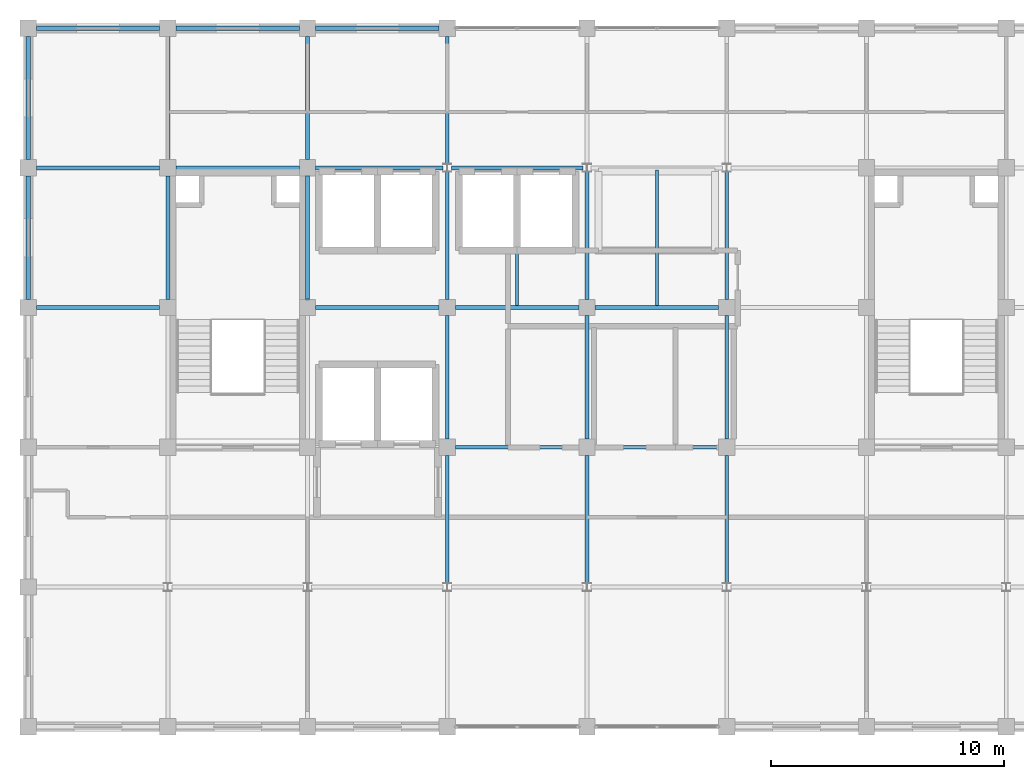
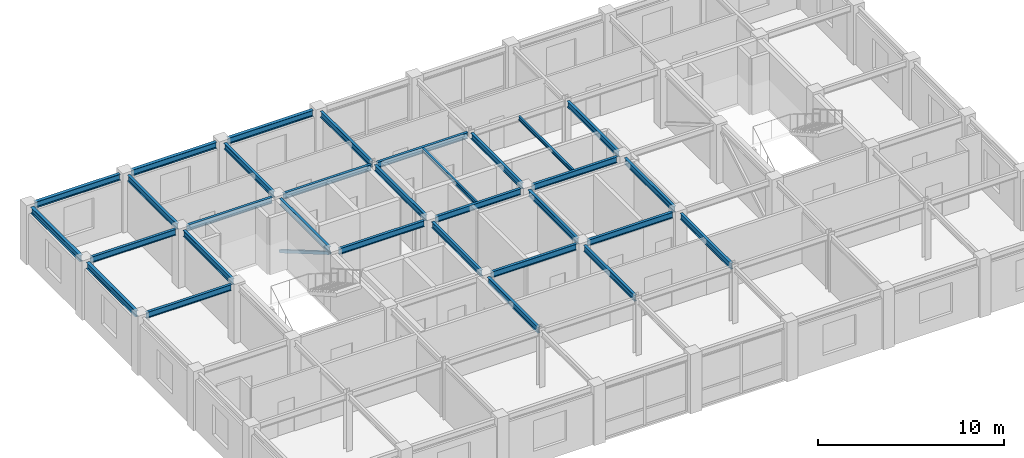
# One storey, part 6 of 13: 31 beams, 1 member.
"""IFC4 building model written with IfcOpenShell, lengths in metres."""

from ifc_helpers import new_model, si_unit, direction, frame, origin, origin_2d, place, context, subcontext, project, spatial, hollow_rectangle, i_section, extrude, material, material_profile, profile_set, type_object, element, save


model = new_model("IFC4")

# Units and contexts
model_context = context("Model", 3, precision=1e-05, world=origin(), true_north=direction((0.0, 1.0)))
body_context = subcontext(model_context, "Body", "Model", "MODEL_VIEW")
ifc_project = project(units=[si_unit("LENGTHUNIT", "METRE"), si_unit("AREAUNIT", "SQUARE_METRE"), si_unit("VOLUMEUNIT", "CUBIC_METRE"), si_unit("PLANEANGLEUNIT", "RADIAN"), si_unit("MASSUNIT", "GRAM", prefix="KILO")], contexts=[model_context])

# Site, building, storey
site_placement = place(None, origin())
site = spatial("IfcSite", under=ifc_project, at=site_placement, CompositionType="ELEMENT")
building_placement = place(site_placement, origin())
building = spatial("IfcBuilding", under=site, at=building_placement, Name="Zlatovratsky Civic Hall", CompositionType="ELEMENT")
storey_placement = place(building_placement, frame((0.0, 0.0, 44.39990234375)))
storey = spatial("IfcBuildingStorey", under=building, at=storey_placement, Name="L11", CompositionType="ELEMENT", Elevation=44.39990234375)

# Beams
ifc_material = material(Name="Steel S355", Category="steel")
ifc_material_profile_1 = material_profile(ifc_material, i_section(OverallWidth=0.199951171875, OverallDepth=0.39990234375, WebThickness=0.008056640625, FlangeThickness=0.012939453125, FilletRadius=0.014892578125, at=origin_2d()), Name="40B2")
ifc_profile_set_1 = profile_set([ifc_material_profile_1], Name="Steel S355")
beam_type_1 = type_object("IfcBeamType", Name="Beam_Spandrel_40B2", PredefinedType="SPANDREL", material=ifc_profile_set_1)
for number, where, z_axis, x_axis, name in (
    (1, (60.35009765625, 102.0, 3.5400390625), (1.0, 0.0, 0.0), (0.0, 1.0, 0.0), "BM-4741"),
    (2, (66.35009765625, 102.0, 3.5400390625), (1.0, 0.0, 0.0), (0.0, 1.0, 0.0), "BM-4742"),
    (3, (72.35009765625, 102.0, 3.5400390625), (1.0, 0.0, 0.0), (0.0, 1.0, 0.0), "BM-4743"),
    (4, (60.0, 90.35009765625, 3.5400390625), (0.0, 1.0, 0.0), (-1.0, 0.0, 0.0), "BM-4752"),
    (5, (60.0, 96.35009765625, 3.5400390625), (0.0, 1.0, 0.0), (-1.0, 0.0, 0.0), "BM-4753"),
):
    element("IfcBeam", number, at=place(storey_placement, frame(where, z_axis=z_axis, x_axis=x_axis)), inside=storey, type_object=beam_type_1, Name=name, PredefinedType="SPANDREL", context=body_context, shape_type="SweptSolid", body=[
        extrude(i_section(OverallWidth=0.199951171875, OverallDepth=0.39990234375, WebThickness=0.008056640625, FlangeThickness=0.012939453125, FilletRadius=0.014892578125, at=origin_2d()), origin(), (0.0, 0.0, 1.0), 5.2998046875),
    ])
ifc_material_profile_2 = material_profile(ifc_material, i_section(OverallWidth=0.1650390625, OverallDepth=0.39208984375, WebThickness=0.006591796875, FlangeThickness=0.009521484375, FilletRadius=0.014892578125, at=origin_2d()), Name="40B1")
ifc_profile_set_2 = profile_set([ifc_material_profile_2], Name="Steel S355")
beam_type_2 = type_object("IfcBeamType", Name="Beam_Tie_40B1", PredefinedType="BEAM", material=ifc_profile_set_2)
for number, where, z_axis, x_axis, name in (
    (6, (78.35009765625, 84.0, 3.544189453125), (1.0, 0.0, 0.0), (0.0, 1.0, 0.0), "BM-4722"),
    (7, (84.35009765625, 84.0, 3.544189453125), (1.0, 0.0, 0.0), (0.0, 1.0, 0.0), "BM-4723"),
    (8, (60.35009765625, 90.0, 3.544189453125), (1.0, 0.0, 0.0), (0.0, 1.0, 0.0), "BM-4727"),
    (9, (72.35009765625, 90.0, 3.544189453125), (1.0, 0.0, 0.0), (0.0, 1.0, 0.0), "BM-4728"),
    (10, (78.35009765625, 90.0, 3.544189453125), (1.0, 0.0, 0.0), (0.0, 1.0, 0.0), "BM-4729"),
    (11, (84.35009765625, 90.0, 3.544189453125), (1.0, 0.0, 0.0), (0.0, 1.0, 0.0), "BM-4730"),
    (12, (60.35009765625, 96.0, 3.544189453125), (1.0, 0.0, 0.0), (0.0, 1.0, 0.0), "BM-4733"),
    (13, (66.35009765625, 96.0, 3.544189453125), (1.0, 0.0, 0.0), (0.0, 1.0, 0.0), "BM-4734"),
):
    element("IfcBeam", number, at=place(storey_placement, frame(where, z_axis=z_axis, x_axis=x_axis)), inside=storey, type_object=beam_type_2, Name=name, PredefinedType="BEAM", context=body_context, shape_type="SweptSolid", body=[
        extrude(i_section(OverallWidth=0.1650390625, OverallDepth=0.39208984375, WebThickness=0.006591796875, FlangeThickness=0.009521484375, FilletRadius=0.014892578125, at=origin_2d()), origin(), (0.0, 0.0, 1.0), 5.2998046875),
    ])
beam_1_placement = place(storey_placement, frame((72.35009765625, 96.0, 3.544189453125), z_axis=(1.0, 0.0, 0.0), x_axis=(0.0, 1.0, 0.0)))
element("IfcBeam", 14, at=beam_1_placement, inside=storey, type_object=beam_type_2, Name="BM-4735", PredefinedType="BEAM", context=body_context, shape_type="SweptSolid", body=[
    extrude(i_section(OverallWidth=0.1650390625, OverallDepth=0.39208984375, WebThickness=0.006591796875, FlangeThickness=0.009521484375, FilletRadius=0.014892578125, at=origin_2d()), origin(), (0.0, 0.0, 1.0), 5.474853515625),
])
beam_2_placement = place(storey_placement, frame((78.175048828125, 96.0, 3.544189453125), z_axis=(1.0, 0.0, 0.0), x_axis=(0.0, 1.0, 0.0)))
element("IfcBeam", 15, at=beam_2_placement, inside=storey, type_object=beam_type_2, Name="BM-4736", PredefinedType="BEAM", context=body_context, shape_type="SweptSolid", body=[
    extrude(i_section(OverallWidth=0.1650390625, OverallDepth=0.39208984375, WebThickness=0.006591796875, FlangeThickness=0.009521484375, FilletRadius=0.014892578125, at=origin_2d()), origin(), (0.0, 0.0, 1.0), 5.64990234375),
])
for number, where, z_axis, x_axis, name in (
    (16, (66.0, 90.35009765625, 3.544189453125), (0.0, 1.0, 0.0), (-1.0, 0.0, 0.0), "BM-4757"),
    (17, (66.0, 96.35009765625, 3.544189453125), (0.0, 1.0, 0.0), (-1.0, 0.0, 0.0), "BM-4758"),
    (18, (72.0, 90.35009765625, 3.544189453125), (0.0, 1.0, 0.0), (-1.0, 0.0, 0.0), "BM-4762"),
    (19, (72.0, 96.35009765625, 3.544189453125), (0.0, 1.0, 0.0), (-1.0, 0.0, 0.0), "BM-4763"),
):
    element("IfcBeam", number, at=place(storey_placement, frame(where, z_axis=z_axis, x_axis=x_axis)), inside=storey, type_object=beam_type_2, Name=name, PredefinedType="BEAM", context=body_context, shape_type="SweptSolid", body=[
        extrude(i_section(OverallWidth=0.1650390625, OverallDepth=0.39208984375, WebThickness=0.006591796875, FlangeThickness=0.009521484375, FilletRadius=0.014892578125, at=origin_2d()), origin(), (0.0, 0.0, 1.0), 5.2998046875),
    ])
beam_3_placement = place(storey_placement, frame((78.0, 78.17138671875, 3.544189453125), z_axis=(0.0, 1.0, 0.0), x_axis=(-1.0, 0.0, 0.0)))
element("IfcBeam", 20, at=beam_3_placement, inside=storey, type_object=beam_type_2, Name="BM-4765", PredefinedType="BEAM", context=body_context, shape_type="SweptSolid", body=[
    extrude(i_section(OverallWidth=0.1650390625, OverallDepth=0.39208984375, WebThickness=0.006591796875, FlangeThickness=0.009521484375, FilletRadius=0.014892578125, at=origin_2d()), origin(), (0.0, 0.0, 1.0), 5.478515625),
])
beam_4_placement = place(storey_placement, frame((78.0, 84.35009765625, 3.544189453125), z_axis=(0.0, 1.0, 0.0), x_axis=(-1.0, 0.0, 0.0)))
element("IfcBeam", 21, at=beam_4_placement, inside=storey, type_object=beam_type_2, Name="BM-4766", PredefinedType="BEAM", context=body_context, shape_type="SweptSolid", body=[
    extrude(i_section(OverallWidth=0.1650390625, OverallDepth=0.39208984375, WebThickness=0.006591796875, FlangeThickness=0.009521484375, FilletRadius=0.014892578125, at=origin_2d()), origin(), (0.0, 0.0, 1.0), 5.2998046875),
])
for number, where, z_axis, x_axis, name in (
    (22, (78.0, 90.35009765625, 3.544189453125), (0.0, 1.0, 0.0), (-1.0, 0.0, 0.0), "BM-4767"),
    (23, (78.0, 96.17138671875, 3.544189453125), (0.0, 1.0, 0.0), (-1.0, 0.0, 0.0), "BM-4768"),
    (24, (84.0, 78.17138671875, 3.544189453125), (0.0, 1.0, 0.0), (-1.0, 0.0, 0.0), "BM-4770"),
):
    element("IfcBeam", number, at=place(storey_placement, frame(where, z_axis=z_axis, x_axis=x_axis)), inside=storey, type_object=beam_type_2, Name=name, PredefinedType="BEAM", context=body_context, shape_type="SweptSolid", body=[
        extrude(i_section(OverallWidth=0.1650390625, OverallDepth=0.39208984375, WebThickness=0.006591796875, FlangeThickness=0.009521484375, FilletRadius=0.014892578125, at=origin_2d()), origin(), (0.0, 0.0, 1.0), 5.478515625),
    ])
beam_5_placement = place(storey_placement, frame((84.0, 84.35009765625, 3.544189453125), z_axis=(0.0, 1.0, 0.0), x_axis=(-1.0, 0.0, 0.0)))
element("IfcBeam", 25, at=beam_5_placement, inside=storey, type_object=beam_type_2, Name="BM-4771", PredefinedType="BEAM", context=body_context, shape_type="SweptSolid", body=[
    extrude(i_section(OverallWidth=0.1650390625, OverallDepth=0.39208984375, WebThickness=0.006591796875, FlangeThickness=0.009521484375, FilletRadius=0.014892578125, at=origin_2d()), origin(), (0.0, 0.0, 1.0), 5.2998046875),
])
for number, where, z_axis, x_axis, name in (
    (26, (84.0, 90.35009765625, 3.544189453125), (0.0, 1.0, 0.0), (-1.0, 0.0, 0.0), "BM-4772"),
    (27, (90.0, 78.17138671875, 3.544189453125), (0.0, 1.0, 0.0), (-1.0, 0.0, 0.0), "BM-4775"),
):
    element("IfcBeam", number, at=place(storey_placement, frame(where, z_axis=z_axis, x_axis=x_axis)), inside=storey, type_object=beam_type_2, Name=name, PredefinedType="BEAM", context=body_context, shape_type="SweptSolid", body=[
        extrude(i_section(OverallWidth=0.1650390625, OverallDepth=0.39208984375, WebThickness=0.006591796875, FlangeThickness=0.009521484375, FilletRadius=0.014892578125, at=origin_2d()), origin(), (0.0, 0.0, 1.0), 5.478515625),
    ])
beam_6_placement = place(storey_placement, frame((90.0, 84.35009765625, 3.544189453125), z_axis=(0.0, 1.0, 0.0), x_axis=(-1.0, 0.0, 0.0)))
element("IfcBeam", 28, at=beam_6_placement, inside=storey, type_object=beam_type_2, Name="BM-4776", PredefinedType="BEAM", context=body_context, shape_type="SweptSolid", body=[
    extrude(i_section(OverallWidth=0.1650390625, OverallDepth=0.39208984375, WebThickness=0.006591796875, FlangeThickness=0.009521484375, FilletRadius=0.014892578125, at=origin_2d()), origin(), (0.0, 0.0, 1.0), 5.2998046875),
])
beam_7_placement = place(storey_placement, frame((90.0, 90.35009765625, 3.544189453125), z_axis=(0.0, 1.0, 0.0), x_axis=(-1.0, 0.0, 0.0)))
element("IfcBeam", 29, at=beam_7_placement, inside=storey, type_object=beam_type_2, Name="BM-4777", PredefinedType="BEAM", context=body_context, shape_type="SweptSolid", body=[
    extrude(i_section(OverallWidth=0.1650390625, OverallDepth=0.39208984375, WebThickness=0.006591796875, FlangeThickness=0.009521484375, FilletRadius=0.014892578125, at=origin_2d()), origin(), (0.0, 0.0, 1.0), 5.478515625),
])

# Member
ifc_material_profile_3 = material_profile(ifc_material, hollow_rectangle(XDim=0.179931640625, YDim=0.179931640625, WallThickness=0.008056640625, at=origin_2d()), Name="SHS 180x180x8")
ifc_profile_set_3 = profile_set([ifc_material_profile_3], Name="Steel S355")
member_type = type_object("IfcMemberType", Name="Brace_TowerMid_SHS180", PredefinedType="BRACE", material=ifc_profile_set_3)
member_placement = place(storey_placement, frame((72.0, 90.35009765625, 3.35009765625), z_axis=(0.0, 0.863172562464, -0.504909028845), x_axis=(-1.0, 0.0, 0.0)))
element("IfcMember", 30, at=member_placement, inside=storey, type_object=member_type, Name="MB-0149", PredefinedType="BRACE", context=body_context, shape_type="SweptSolid", body=[
    extrude(hollow_rectangle(XDim=0.179931640625, YDim=0.179931640625, WallThickness=0.008056640625, at=origin_2d()), origin(), (0.0, 0.0, 1.0), 6.139892578125),
])

# Beams
ifc_material_profile_4 = material_profile(ifc_material, i_section(OverallWidth=0.125, OverallDepth=0.25, WebThickness=0.006103515625, FlangeThickness=0.009033203125, FilletRadius=0.011962890625, at=origin_2d()), Name="25B2")
ifc_profile_set_4 = profile_set([ifc_material_profile_4], Name="Steel S355")
beam_type_3 = type_object("IfcBeamType", Name="Joist_Tower_25B2", PredefinedType="JOIST", material=ifc_profile_set_4)
for number, where, z_axis, x_axis, name in (
    (31, (81.0, 90.08251953125, 3.614990234375), (0.0, 1.0, 0.0), (-1.0, 0.0, 0.0), "BM-4794"),
    (32, (87.0, 90.08251953125, 3.614990234375), (0.0, 1.0, 0.0), (-1.0, 0.0, 0.0), "BM-4795"),
):
    element("IfcBeam", number, at=place(storey_placement, frame(where, z_axis=z_axis, x_axis=x_axis)), inside=storey, type_object=beam_type_3, Name=name, PredefinedType="JOIST", context=body_context, shape_type="SweptSolid", body=[
        extrude(i_section(OverallWidth=0.125, OverallDepth=0.25, WebThickness=0.006103515625, FlangeThickness=0.009033203125, FilletRadius=0.011962890625, at=origin_2d()), origin(), (0.0, 0.0, 1.0), 5.8349609375),
    ])

save(model, "model.ifc")
